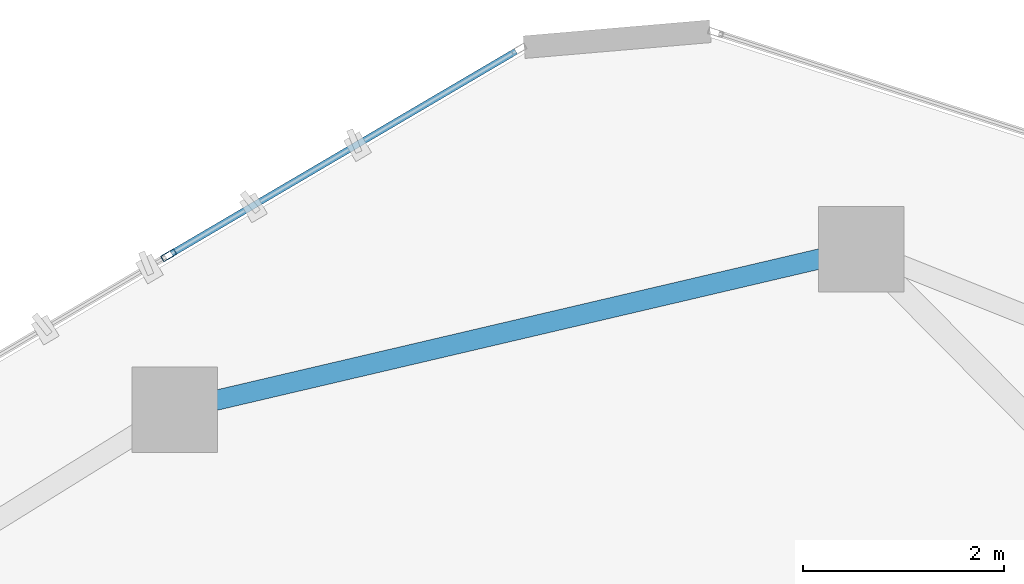
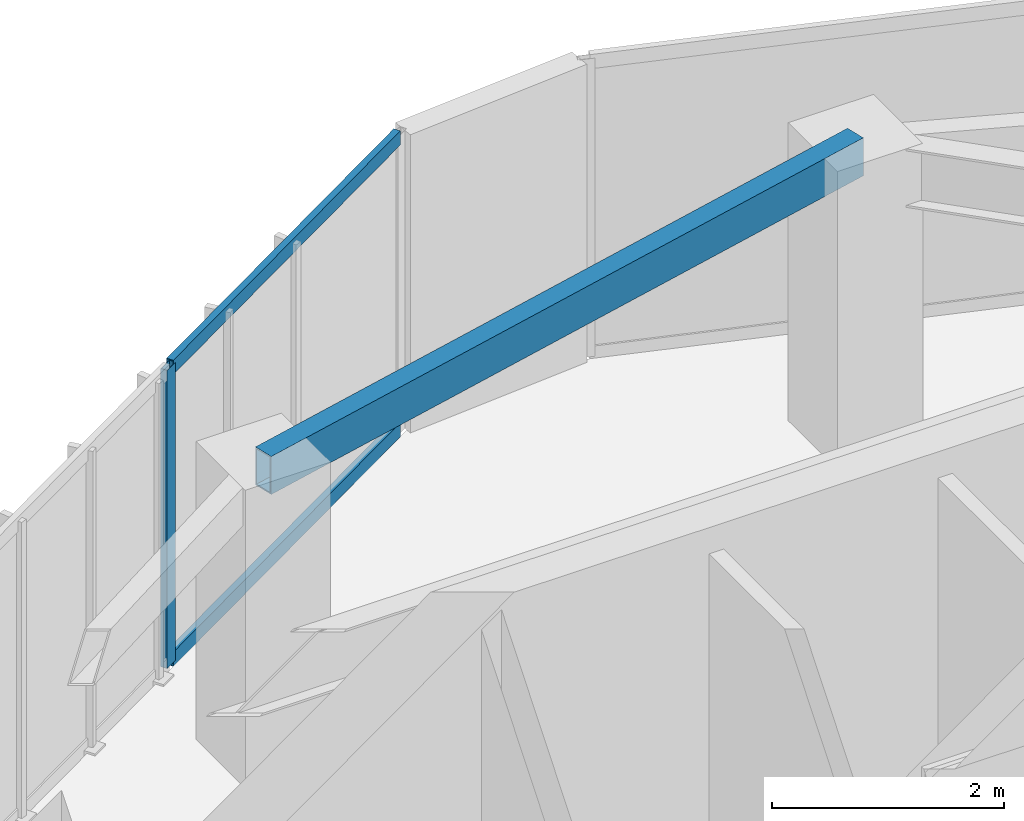
# One storey, part 11 of 20: 3 members, 1 beam, 1 element without a shape of its own.
"""IFC4 building model written with IfcOpenShell, lengths in metres."""

from ifc_helpers import new_model, si_unit, direction, frame, origin, origin_2d, place, context, subcontext, project, spatial, hollow_rectangle, extrude, source, transform, mapped, material, layer, layer_set, material_profile, profile_set, type_object, type_shapes, element, aggregate, save


model = new_model("IFC4")

# Units and contexts
model_context = context("Model", 3, precision=1e-05, world=origin(), true_north=direction((0.0, 1.0)))
body_context = subcontext(model_context, "Body", "Model", "MODEL_VIEW")
ifc_project = project(units=[si_unit("LENGTHUNIT", "METRE"), si_unit("AREAUNIT", "SQUARE_METRE"), si_unit("VOLUMEUNIT", "CUBIC_METRE"), si_unit("PLANEANGLEUNIT", "RADIAN"), si_unit("MASSUNIT", "GRAM", prefix="KILO")], contexts=[model_context])

# Site, building, storey
site_placement = place(None, origin())
site = spatial("IfcSite", under=ifc_project, at=site_placement, CompositionType="ELEMENT")
building_placement = place(site_placement, origin())
building = spatial("IfcBuilding", under=site, at=building_placement, Name="Talar Marvaseh", CompositionType="ELEMENT")
storey_placement = place(building_placement, frame((0.0, 0.0, 254.39990234375)))
storey = spatial("IfcBuildingStorey", under=building, at=storey_placement, Name="L67", CompositionType="ELEMENT", Elevation=254.39990234375)

# Beam
ifc_material_1 = material(Name="Steel S355", Category="steel")
ifc_material_profile_1 = material_profile(ifc_material_1, hollow_rectangle(XDim=0.199951171875, YDim=0.39990234375, WallThickness=0.013916015625, at=origin_2d()), Name="RHS400x200x14")
ifc_profile_set_1 = profile_set([ifc_material_profile_1], Name="Steel S355")
beam_type = type_object("IfcBeamType", Name="Zone 3 Perimeter Spandrel Beam RHS400x200x14", PredefinedType="SPANDREL", material=ifc_profile_set_1)
beam_placement = place(storey_placement, frame((22.364990234375, 39.4541015625, 2.940185546875), z_axis=(0.973655602276, 0.228023613157, 0.0), x_axis=(-0.228023613157, 0.973655602276, 0.0)))
element("IfcBeam", 1, at=beam_placement, inside=storey, type_object=beam_type, Name="L67 Zone 3 Perimeter Spandrel Beam RHS400x200x14", PredefinedType="SPANDREL", context=body_context, shape_type="SweptSolid", body=[
    extrude(hollow_rectangle(XDim=0.199951171875, YDim=0.39990234375, WallThickness=0.013916015625, at=origin_2d()), origin(), (0.0, 0.0, 1.0), 7.007568359375),
])

# Curtain wall, members
ifc_material_2 = material(Name="Architectural Aluminium", Category="aluminium")
ifc_layer = layer(ifc_material_2, 0.179931640625)
ifc_layer_set = layer_set([ifc_layer], Name="Architectural Aluminium")
curtain_wall_type = type_object("IfcCurtainWallType", Name="Unitised High-Wind Sky Curtain Wall Z4", PredefinedType="NOTDEFINED", material=ifc_layer_set)
curtain_wall_placement = place(storey_placement, origin())
curtain_wall = element("IfcCurtainWall", 2, at=curtain_wall_placement, inside=storey, type_object=curtain_wall_type, Name="L67 Unitised High-Wind Sky Curtain Wall Z4", PredefinedType="NOTDEFINED")
ifc_material_profile_2 = material_profile(ifc_material_2, hollow_rectangle(XDim=0.06494140625, YDim=0.14990234375, WallThickness=0.00390625, at=origin_2d()), Name="RHS150x65x4")
ifc_profile_set_2 = profile_set([ifc_material_profile_2], Name="Architectural Aluminium")
member_type_1 = type_object("IfcMemberType", Name="Unitised Curtain Wall Slim Mullion RHS150x65x4", PredefinedType="MULLION", material=ifc_profile_set_2)
shared_shape_1 = source(origin(), body_context, "Body", "SweptSolid", [
    extrude(hollow_rectangle(XDim=0.06494140625, YDim=0.14990234375, WallThickness=0.00390625, at=origin_2d()), origin(), (0.0, 0.0, 1.0), 3.14013671875),
])
type_shapes(member_type_1, [shared_shape_1])
member_1_placement = place(storey_placement, frame((22.304443359375, 40.99169921875, 0.0), z_axis=(0.0, 0.0, 1.0), x_axis=(-0.506516996713, 0.862229976306, 0.0)))
member_1 = element("IfcMember", 3, at=member_1_placement, type_object=member_type_1, Name="CW-Z4 mullion 3", PredefinedType="MULLION", context=body_context, shape_type="MappedRepresentation", body=[
    mapped(shared_shape_1, transform((0.0, 0.0, 0.0), x_axis=(1.0, 0.0, 0.0), y_axis=(0.0, 1.0, 0.0), z_axis=(0.0, 0.0, 1.0), scale=1.0)),
])
ifc_material_profile_3 = material_profile(ifc_material_2, hollow_rectangle(XDim=0.06494140625, YDim=0.14990234375, WallThickness=0.00390625, at=origin_2d()), Name="RHS150x65x4")
ifc_profile_set_3 = profile_set([ifc_material_profile_3], Name="Architectural Aluminium")
member_type_2 = type_object("IfcMemberType", Name="Unitised Curtain Wall Slim Transom RHS150x65x4", PredefinedType="USERDEFINED", material=ifc_profile_set_3)
shared_shape_2 = source(origin(), body_context, "Body", "SweptSolid", [
    extrude(hollow_rectangle(XDim=0.06494140625, YDim=0.14990234375, WallThickness=0.00390625, at=origin_2d()), origin(), (0.0, 0.0, 1.0), 3.970947265625),
])
type_shapes(member_type_2, [shared_shape_2])
member_2_placement = place(storey_placement, frame((22.33251953125, 41.008056640625, 0.03271484375), z_axis=(0.862213831803, 0.506544478054, 0.0), x_axis=(-0.506544478054, 0.862213831803, 0.0)))
member_2 = element("IfcMember", 4, at=member_2_placement, type_object=member_type_2, Name="CW-Z4 transom 3.1", ObjectType="TRANSOM", PredefinedType="USERDEFINED", context=body_context, shape_type="MappedRepresentation", body=[
    mapped(shared_shape_2, transform((0.0, 0.0, 0.0), x_axis=(1.0, 0.0, 0.0), y_axis=(0.0, 1.0, 0.0), z_axis=(0.0, 0.0, 1.0), scale=1.0)),
])
member_3_placement = place(storey_placement, frame((22.33251953125, 41.008056640625, 3.107666015625), z_axis=(0.862213831803, 0.506544478054, 0.0), x_axis=(-0.506544478054, 0.862213831803, 0.0)))
member_3 = element("IfcMember", 5, at=member_3_placement, type_object=member_type_2, Name="CW-Z4 transom 3.2", ObjectType="TRANSOM", PredefinedType="USERDEFINED", context=body_context, shape_type="MappedRepresentation", body=[
    mapped(shared_shape_2, transform((0.0, 0.0, 0.0), x_axis=(1.0, 0.0, 0.0), y_axis=(0.0, 1.0, 0.0), z_axis=(0.0, 0.0, 1.0), scale=1.0)),
])
aggregate(curtain_wall, [member_1, member_2, member_3])

save(model, "model.ifc")
